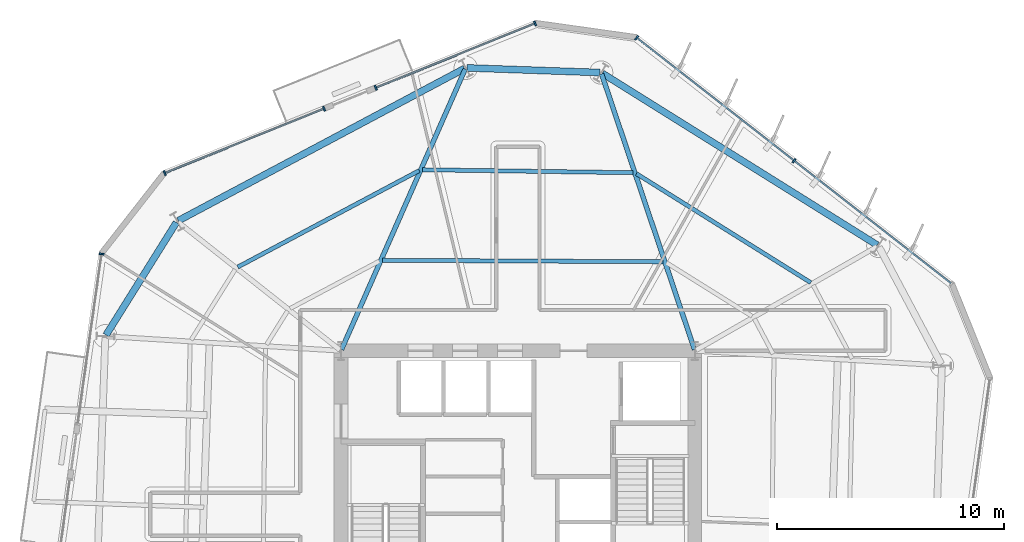
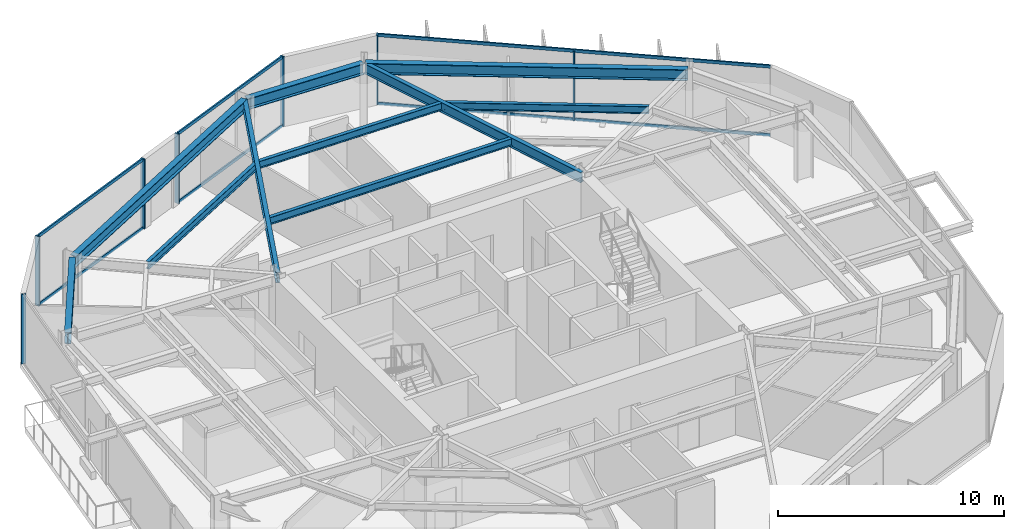
# One storey, part 5 of 12: 15 members, 10 beams, 4 elements without a shape of their own.
"""IFC4 building model written with IfcOpenShell, lengths in metres."""

from ifc_helpers import new_model, si_unit, direction, frame, origin, origin_2d, place, context, subcontext, project, spatial, rectangle, i_section, extrude, material, layer, layer_set, material_profile, profile_set, type_object, element, aggregate, save


model = new_model("IFC4")

# Units and contexts
model_context = context("Model", 3, precision=1e-05, world=origin(), true_north=direction((0.0, 1.0)))
body_context = subcontext(model_context, "Body", "Model", "MODEL_VIEW")
ifc_project = project(units=[si_unit("LENGTHUNIT", "METRE"), si_unit("AREAUNIT", "SQUARE_METRE"), si_unit("VOLUMEUNIT", "CUBIC_METRE"), si_unit("PLANEANGLEUNIT", "RADIAN"), si_unit("MASSUNIT", "GRAM", prefix="KILO")], contexts=[model_context])

# Site, building, storey
site_placement = place(None, origin())
site = spatial("IfcSite", under=ifc_project, at=site_placement, CompositionType="ELEMENT")
building_placement = place(site_placement, origin())
building = spatial("IfcBuilding", under=site, at=building_placement, Name="Kranzbogen Civic Tower", CompositionType="ELEMENT")
storey_placement = place(building_placement, frame((0.0, 0.0, 110.39990234375)))
storey = spatial("IfcBuildingStorey", under=building, at=storey_placement, Name="L26", CompositionType="ELEMENT", Elevation=110.39990234375)

# Curtain wall, members
ifc_material_1 = material(Name="Pale Anodised Aluminium", Category="aluminium")
ifc_layer = layer(ifc_material_1, 0.219970703125, Name="Pale Anodised Aluminium")
ifc_layer_set = layer_set([ifc_layer], Name="Pale Anodised Aluminium")
curtain_wall_type = type_object("IfcCurtainWallType", Name="Zone 2 Stick Curtain Wall System CW-03", PredefinedType="USERDEFINED", material=ifc_layer_set)
curtain_wall_1_placement = place(storey_placement, origin())
curtain_wall_1 = element("IfcCurtainWall", 1, at=curtain_wall_1_placement, inside=storey, type_object=curtain_wall_type, Name="L26 curtain wall CW-L26-F1", ObjectType="STICK CURTAIN WALL", PredefinedType="USERDEFINED")
ifc_material_profile_1 = material_profile(ifc_material_1, rectangle(XDim=0.074951171875, YDim=0.219970703125, at=origin_2d()), Name="ALU-M 75x220")
ifc_profile_set_1 = profile_set([ifc_material_profile_1], Name="Pale Anodised Aluminium")
member_type_1 = type_object("IfcMemberType", Name="Curtain Wall Mullion ALU-M 75x220", PredefinedType="MULLION", material=ifc_profile_set_1)
member_1_placement = place(storey_placement, frame((37.172607421875, 40.580078125, 0.0), z_axis=(0.0, 0.0, 1.0), x_axis=(-0.788006354184, 0.615667106288, 0.0)))
member_1 = element("IfcMember", 2, at=member_1_placement, type_object=member_type_1, Name="CW-03 mullion 2", PredefinedType="MULLION", context=body_context, shape_type="SweptSolid", body=[
    extrude(rectangle(XDim=0.074951171875, YDim=0.219970703125, at=origin_2d()), origin(), (0.0, 0.0, 1.0), 3.760009765625),
])
member_2_placement = place(storey_placement, frame((30.234619140625, 46.00048828125, 0.0), z_axis=(0.0, 0.0, 1.0), x_axis=(-0.788006354184, 0.615667106288, 0.0)))
member_2 = element("IfcMember", 3, at=member_2_placement, type_object=member_type_1, Name="CW-03 mullion 3", PredefinedType="MULLION", context=body_context, shape_type="SweptSolid", body=[
    extrude(rectangle(XDim=0.074951171875, YDim=0.219970703125, at=origin_2d()), origin(), (0.0, 0.0, 1.0), 3.760009765625),
])

curtain_wall_2_placement = place(storey_placement, origin())
curtain_wall_2 = element("IfcCurtainWall", 4, at=curtain_wall_2_placement, inside=storey, type_object=curtain_wall_type, Name="L26 curtain wall CW-L26-F2-S1", ObjectType="STICK CURTAIN WALL", PredefinedType="USERDEFINED")
member_3_placement = place(storey_placement, frame((25.756103515625, 46.630859375, 0.0), z_axis=(0.0, 0.0, 1.0), x_axis=(-0.927170096622, -0.374640643723, 0.0)))
member_3 = element("IfcMember", 5, at=member_3_placement, type_object=member_type_1, Name="CW-03 mullion 1", PredefinedType="MULLION", context=body_context, shape_type="SweptSolid", body=[
    extrude(rectangle(XDim=0.074951171875, YDim=0.219970703125, at=origin_2d()), origin(), (0.0, 0.0, 1.0), 3.760009765625),
])
member_4_placement = place(storey_placement, frame((18.73388671875, 43.793212890625, 0.0), z_axis=(0.0, 0.0, 1.0), x_axis=(-0.927170096622, -0.374640643723, 0.0)))
member_4 = element("IfcMember", 6, at=member_4_placement, type_object=member_type_1, Name="CW-03 mullion 2", PredefinedType="MULLION", context=body_context, shape_type="SweptSolid", body=[
    extrude(rectangle(XDim=0.074951171875, YDim=0.219970703125, at=origin_2d()), origin(), (0.0, 0.0, 1.0), 3.760009765625),
])

curtain_wall_3_placement = place(storey_placement, origin())
curtain_wall_3 = element("IfcCurtainWall", 7, at=curtain_wall_3_placement, inside=storey, type_object=curtain_wall_type, Name="L26 curtain wall CW-L26-F2-S2", ObjectType="STICK CURTAIN WALL", PredefinedType="USERDEFINED")
member_5_placement = place(storey_placement, frame((16.453125, 42.871826171875, 0.0), z_axis=(0.0, 0.0, 1.0), x_axis=(-0.927170096622, -0.374640643723, 0.0)))
member_5 = element("IfcMember", 8, at=member_5_placement, type_object=member_type_1, Name="CW-03 mullion 1", PredefinedType="MULLION", context=body_context, shape_type="SweptSolid", body=[
    extrude(rectangle(XDim=0.074951171875, YDim=0.219970703125, at=origin_2d()), origin(), (0.0, 0.0, 1.0), 3.760009765625),
])
member_6_placement = place(storey_placement, frame((9.430908203125, 40.0341796875, 0.0), z_axis=(0.0, 0.0, 1.0), x_axis=(-0.927170096622, -0.374640643723, 0.0)))
member_6 = element("IfcMember", 9, at=member_6_placement, type_object=member_type_1, Name="CW-03 mullion 2", PredefinedType="MULLION", context=body_context, shape_type="SweptSolid", body=[
    extrude(rectangle(XDim=0.074951171875, YDim=0.219970703125, at=origin_2d()), origin(), (0.0, 0.0, 1.0), 3.760009765625),
])

# Curtain wall, member
curtain_wall_4_placement = place(storey_placement, origin())
curtain_wall_4 = element("IfcCurtainWall", 10, at=curtain_wall_4_placement, inside=storey, type_object=curtain_wall_type, Name="L26 curtain wall CW-L26-F3-S1", ObjectType="STICK CURTAIN WALL", PredefinedType="USERDEFINED")
member_7_placement = place(storey_placement, frame((6.645751953125, 36.47021484375, 0.0), z_axis=(0.0, 0.0, 1.0), x_axis=(-0.139110324934, -0.990276889308, 0.0)))
member_7 = element("IfcMember", 11, at=member_7_placement, type_object=member_type_1, Name="CW-03 mullion 1", PredefinedType="MULLION", context=body_context, shape_type="SweptSolid", body=[
    extrude(rectangle(XDim=0.074951171875, YDim=0.219970703125, at=origin_2d()), origin(), (0.0, 0.0, 1.0), 3.760009765625),
])
aggregate(curtain_wall_4, [member_7])

# Member
ifc_material_profile_2 = material_profile(ifc_material_1, rectangle(XDim=0.074951171875, YDim=0.1650390625, at=origin_2d()), Name="ALU-T 75x165")
ifc_profile_set_2 = profile_set([ifc_material_profile_2], Name="Pale Anodised Aluminium")
member_type_2 = type_object("IfcMemberType", Name="Curtain Wall Transom ALU-T 75x165", PredefinedType="USERDEFINED", material=ifc_profile_set_2)
member_8_placement = place(storey_placement, frame((44.086669921875, 35.177978515625, 0.030029296875), z_axis=(-0.788010828411, 0.615661379581, 0.0), x_axis=(-0.615661379581, -0.788010828411, 0.0)))
member_8 = element("IfcMember", 12, at=member_8_placement, type_object=member_type_2, Name="CW-03 transom 1.1", ObjectType="TRANSOM", PredefinedType="USERDEFINED", context=body_context, shape_type="SweptSolid", body=[
    extrude(rectangle(XDim=0.074951171875, YDim=0.1650390625, at=origin_2d()), origin(), (0.0, 0.0, 1.0), 8.744384765625),
])

member_9_placement = place(storey_placement, frame((44.086669921875, 35.177978515625, 3.72998046875), z_axis=(-0.788010828411, 0.615661379581, 0.0), x_axis=(-0.615661379581, -0.788010828411, 0.0)))
member_9 = element("IfcMember", 13, at=member_9_placement, type_object=member_type_2, Name="CW-03 transom 1.2", ObjectType="TRANSOM", PredefinedType="USERDEFINED", context=body_context, shape_type="SweptSolid", body=[
    extrude(rectangle(XDim=0.074951171875, YDim=0.1650390625, at=origin_2d()), origin(), (0.0, 0.0, 1.0), 8.744384765625),
])

member_10_placement = place(storey_placement, frame((37.14892578125, 40.598388671875, 0.030029296875), z_axis=(-0.787997283181, 0.615678716295, 0.0), x_axis=(-0.615678716295, -0.787997283181, 0.0)))
member_10 = element("IfcMember", 14, at=member_10_placement, type_object=member_type_2, Name="CW-03 transom 2.1", ObjectType="TRANSOM", PredefinedType="USERDEFINED", context=body_context, shape_type="SweptSolid", body=[
    extrude(rectangle(XDim=0.074951171875, YDim=0.1650390625, at=origin_2d()), origin(), (0.0, 0.0, 1.0), 8.744384765625),
])

member_11_placement = place(storey_placement, frame((37.14892578125, 40.598388671875, 3.72998046875), z_axis=(-0.787997283181, 0.615678716295, 0.0), x_axis=(-0.615678716295, -0.787997283181, 0.0)))
member_11 = element("IfcMember", 15, at=member_11_placement, type_object=member_type_2, Name="CW-03 transom 2.2", ObjectType="TRANSOM", PredefinedType="USERDEFINED", context=body_context, shape_type="SweptSolid", body=[
    extrude(rectangle(XDim=0.074951171875, YDim=0.1650390625, at=origin_2d()), origin(), (0.0, 0.0, 1.0), 8.744384765625),
])

aggregate(curtain_wall_1, [member_1, member_2, member_8, member_9, member_10, member_11])

member_12_placement = place(storey_placement, frame((25.728271484375, 46.61962890625, 0.030029296875), z_axis=(-0.927160021861, -0.374665576032, 0.0), x_axis=(0.374665576032, -0.927160021861, 0.0)))
member_12 = element("IfcMember", 16, at=member_12_placement, type_object=member_type_2, Name="CW-03 transom 1.1", ObjectType="TRANSOM", PredefinedType="USERDEFINED", context=body_context, shape_type="SweptSolid", body=[
    extrude(rectangle(XDim=0.074951171875, YDim=0.1650390625, at=origin_2d()), origin(), (0.0, 0.0, 1.0), 7.513916015625),
])

member_13_placement = place(storey_placement, frame((25.728271484375, 46.61962890625, 3.72998046875), z_axis=(-0.927160021861, -0.374665576032, 0.0), x_axis=(0.374665576032, -0.927160021861, 0.0)))
member_13 = element("IfcMember", 17, at=member_13_placement, type_object=member_type_2, Name="CW-03 transom 1.2", ObjectType="TRANSOM", PredefinedType="USERDEFINED", context=body_context, shape_type="SweptSolid", body=[
    extrude(rectangle(XDim=0.074951171875, YDim=0.1650390625, at=origin_2d()), origin(), (0.0, 0.0, 1.0), 7.513916015625),
])

aggregate(curtain_wall_2, [member_3, member_4, member_12, member_13])

member_14_placement = place(storey_placement, frame((16.42529296875, 42.860595703125, 0.030029296875), z_axis=(-0.927160021861, -0.374665576032, 0.0), x_axis=(0.374665576032, -0.927160021861, 0.0)))
member_14 = element("IfcMember", 18, at=member_14_placement, type_object=member_type_2, Name="CW-03 transom 1.1", ObjectType="TRANSOM", PredefinedType="USERDEFINED", context=body_context, shape_type="SweptSolid", body=[
    extrude(rectangle(XDim=0.074951171875, YDim=0.1650390625, at=origin_2d()), origin(), (0.0, 0.0, 1.0), 7.513916015625),
])

member_15_placement = place(storey_placement, frame((16.42529296875, 42.860595703125, 3.72998046875), z_axis=(-0.927160021861, -0.374665576032, 0.0), x_axis=(0.374665576032, -0.927160021861, 0.0)))
member_15 = element("IfcMember", 19, at=member_15_placement, type_object=member_type_2, Name="CW-03 transom 1.2", ObjectType="TRANSOM", PredefinedType="USERDEFINED", context=body_context, shape_type="SweptSolid", body=[
    extrude(rectangle(XDim=0.074951171875, YDim=0.1650390625, at=origin_2d()), origin(), (0.0, 0.0, 1.0), 7.513916015625),
])

aggregate(curtain_wall_3, [member_5, member_6, member_14, member_15])

# Beams
ifc_material_2 = material(Name="Steel S355", Category="steel")
ifc_material_profile_3 = material_profile(ifc_material_2, i_section(OverallWidth=0.300048828125, OverallDepth=0.60009765625, WebThickness=0.015380859375, FlangeThickness=0.030029296875, at=origin_2d()), Name="HEB 600")
ifc_profile_set_3 = profile_set([ifc_material_profile_3], Name="Steel S355")
beam_type_1 = type_object("IfcBeamType", Name="Perimeter Tube Spandrel Beam HEB 600", PredefinedType="SPANDREL", material=ifc_profile_set_3)
beam_1_placement = place(storey_placement, frame((40.8349609375, 36.861083984375, 3.460205078125), z_axis=(-0.848051101349, 0.52991445489, 0.0), x_axis=(-0.52991445489, -0.848051101349, 0.0)))
element("IfcBeam", 20, at=beam_1_placement, inside=storey, type_object=beam_type_1, Name="L26 perimeter spandrel beam 08", PredefinedType="SPANDREL", context=body_context, shape_type="SweptSolid", body=[
    extrude(i_section(OverallWidth=0.300048828125, OverallDepth=0.60009765625, WebThickness=0.015380859375, FlangeThickness=0.030029296875, at=origin_2d()), origin(), (0.0, 0.0, 1.0), 14.286865234375),
])
beam_2_placement = place(storey_placement, frame((28.60791015625, 44.466064453125, 3.460205078125), z_axis=(-0.999393148233, 0.03483296234, 0.0), x_axis=(-0.03483296234, -0.999393148233, 0.0)))
element("IfcBeam", 21, at=beam_2_placement, inside=storey, type_object=beam_type_1, Name="L26 perimeter spandrel beam 09", PredefinedType="SPANDREL", context=body_context, shape_type="SweptSolid", body=[
    extrude(i_section(OverallWidth=0.300048828125, OverallDepth=0.60009765625, WebThickness=0.015380859375, FlangeThickness=0.030029296875, at=origin_2d()), origin(), (0.0, 0.0, 1.0), 5.8525390625),
])
beam_3_placement = place(storey_placement, frame((22.64599609375, 44.64404296875, 3.460205078125), z_axis=(-0.882948194046, -0.469470432116, 0.0), x_axis=(0.469470432116, -0.882948194046, 0.0)))
element("IfcBeam", 22, at=beam_3_placement, inside=storey, type_object=beam_type_1, Name="L26 perimeter spandrel beam 10", PredefinedType="SPANDREL", context=body_context, shape_type="SweptSolid", body=[
    extrude(i_section(OverallWidth=0.300048828125, OverallDepth=0.60009765625, WebThickness=0.015380859375, FlangeThickness=0.030029296875, at=origin_2d()), origin(), (0.0, 0.0, 1.0), 14.28857421875),
])
beam_4_placement = place(storey_placement, frame((9.945068359375, 37.85693359375, 3.460205078125), z_axis=(-0.529863902903, -0.848082687242, 0.0), x_axis=(0.848082687242, -0.529863902903, 0.0)))
element("IfcBeam", 23, at=beam_4_placement, inside=storey, type_object=beam_type_1, Name="L26 perimeter spandrel beam 11", PredefinedType="SPANDREL", context=body_context, shape_type="SweptSolid", body=[
    extrude(i_section(OverallWidth=0.300048828125, OverallDepth=0.60009765625, WebThickness=0.015380859375, FlangeThickness=0.030029296875, at=origin_2d()), origin(), (0.0, 0.0, 1.0), 5.850830078125),
])
ifc_material_profile_4 = material_profile(ifc_material_2, i_section(OverallWidth=0.2099609375, OverallDepth=0.550048828125, WebThickness=0.010986328125, FlangeThickness=0.01708984375, at=origin_2d()), Name="IPE 550")
ifc_profile_set_4 = profile_set([ifc_material_profile_4], Name="Steel S355")
beam_type_2 = type_object("IfcBeamType", Name="Radial Tower Floor Girder IPE 550", PredefinedType="BEAM", material=ifc_profile_set_4)
beam_5_placement = place(storey_placement, frame((28.68701171875, 44.406982421875, 3.485107421875), z_axis=(0.319316617377, -0.947648087566, 0.0), x_axis=(0.947648087566, 0.319316617377, 0.0)))
element("IfcBeam", 24, at=beam_5_placement, inside=storey, type_object=beam_type_2, Name="L26 radial floor girder 09", PredefinedType="BEAM", context=body_context, shape_type="SweptSolid", body=[
    extrude(i_section(OverallWidth=0.2099609375, OverallDepth=0.550048828125, WebThickness=0.010986328125, FlangeThickness=0.01708984375, at=origin_2d()), origin(), (0.0, 0.0, 1.0), 12.821044921875),
])
beam_6_placement = place(storey_placement, frame((22.675048828125, 44.616943359375, 3.485107421875), z_axis=(-0.403459127705, -0.914997667905, 0.0), x_axis=(0.914997667905, -0.403459127705, 0.0)))
element("IfcBeam", 25, at=beam_6_placement, inside=storey, type_object=beam_type_2, Name="L26 radial floor girder 10", PredefinedType="BEAM", context=body_context, shape_type="SweptSolid", body=[
    extrude(i_section(OverallWidth=0.2099609375, OverallDepth=0.550048828125, WebThickness=0.010986328125, FlangeThickness=0.01708984375, at=origin_2d()), origin(), (0.0, 0.0, 1.0), 13.510498046875),
])
ifc_material_profile_5 = material_profile(ifc_material_2, i_section(OverallWidth=0.179931640625, OverallDepth=0.39990234375, WebThickness=0.008544921875, FlangeThickness=0.013427734375, at=origin_2d()), Name="IPE 400")
ifc_profile_set_5 = profile_set([ifc_material_profile_5], Name="Steel S355")
beam_type_3 = type_object("IfcBeamType", Name="Secondary Composite Floor Joist IPE 400", PredefinedType="JOIST", material=ifc_profile_set_5)
beam_7_placement = place(storey_placement, frame((37.906982421875, 35.205078125, 3.56005859375), z_axis=(-0.848025549308, 0.529955345026, 0.0), x_axis=(-0.529955345026, -0.848025549308, 0.0)))
element("IfcBeam", 26, at=beam_7_placement, inside=storey, type_object=beam_type_3, Name="L26 secondary floor joist 1.08", PredefinedType="JOIST", context=body_context, shape_type="SweptSolid", body=[
    extrude(i_section(OverallWidth=0.179931640625, OverallDepth=0.39990234375, WebThickness=0.008544921875, FlangeThickness=0.013427734375, at=origin_2d()), origin(), (0.0, 0.0, 1.0), 9.06103515625),
])
beam_8_placement = place(storey_placement, frame((30.075927734375, 40.050048828125, 3.56005859375), z_axis=(-0.999900525148, 0.014104602386, 0.0), x_axis=(-0.014104602386, -0.999900525148, 0.0)))
element("IfcBeam", 27, at=beam_8_placement, inside=storey, type_object=beam_type_3, Name="L26 secondary floor joist 1.09", PredefinedType="JOIST", context=body_context, shape_type="SweptSolid", body=[
    extrude(i_section(OverallWidth=0.179931640625, OverallDepth=0.39990234375, WebThickness=0.008544921875, FlangeThickness=0.013427734375, at=origin_2d()), origin(), (0.0, 0.0, 1.0), 9.27783203125),
])
beam_9_placement = place(storey_placement, frame((31.39794921875, 36.125, 3.56005859375), z_axis=(-0.999985774147, 0.005333995002, 0.0), x_axis=(-0.005333995002, -0.999985774147, 0.0)))
element("IfcBeam", 28, at=beam_9_placement, inside=storey, type_object=beam_type_3, Name="L26 secondary floor joist 2.09", PredefinedType="JOIST", context=body_context, shape_type="SweptSolid", body=[
    extrude(i_section(OverallWidth=0.179931640625, OverallDepth=0.39990234375, WebThickness=0.008544921875, FlangeThickness=0.013427734375, at=origin_2d()), origin(), (0.0, 0.0, 1.0), 12.358154296875),
])
beam_10_placement = place(storey_placement, frame((20.64892578125, 40.14501953125, 3.56005859375), z_axis=(-0.882960787661, -0.469446746131, 0.0), x_axis=(0.469446746131, -0.882960787661, 0.0)))
element("IfcBeam", 29, at=beam_10_placement, inside=storey, type_object=beam_type_3, Name="L26 secondary floor joist 1.10", PredefinedType="JOIST", context=body_context, shape_type="SweptSolid", body=[
    extrude(i_section(OverallWidth=0.179931640625, OverallDepth=0.39990234375, WebThickness=0.008544921875, FlangeThickness=0.013427734375, at=origin_2d()), origin(), (0.0, 0.0, 1.0), 9.0615234375),
])

save(model, "model.ifc")
